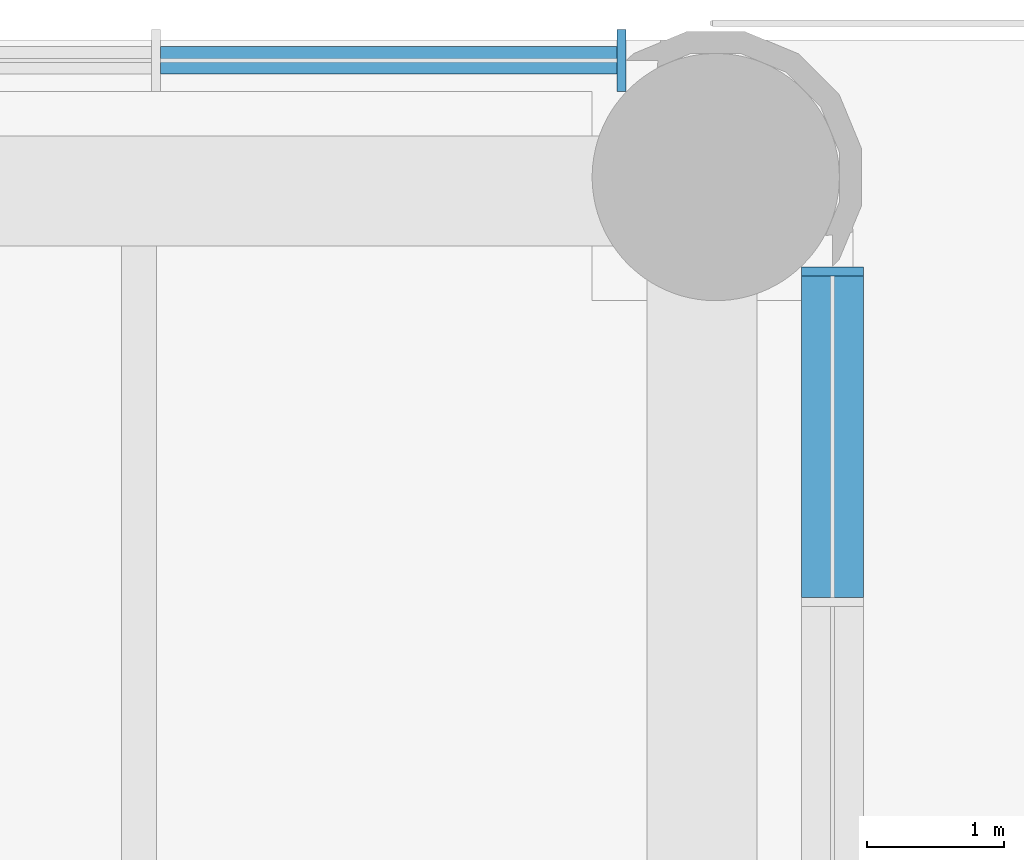
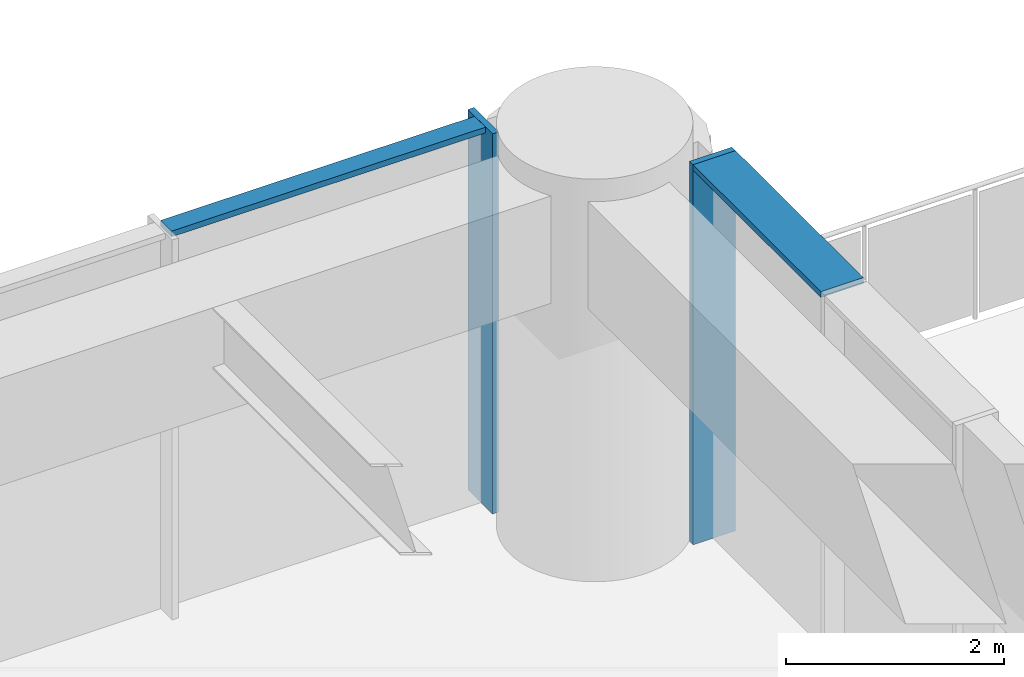
# One storey, part 7 of 21: 4 members, 2 elements without a shape of their own.
"""IFC4 building model written with IfcOpenShell, lengths in metres."""

from ifc_helpers import new_model, si_unit, direction, frame, origin, origin_2d, place, context, subcontext, project, spatial, rectangle, extrude, material, material_profile, profile_set, type_object, element, aggregate, save


model = new_model("IFC4")

# Units and contexts
model_context = context("Model", 3, precision=1e-05, world=origin(), true_north=direction((0.0, 1.0)))
body_context = subcontext(model_context, "Body", "Model", "MODEL_VIEW")
ifc_project = project(units=[si_unit("LENGTHUNIT", "METRE"), si_unit("AREAUNIT", "SQUARE_METRE"), si_unit("VOLUMEUNIT", "CUBIC_METRE"), si_unit("PLANEANGLEUNIT", "RADIAN"), si_unit("MASSUNIT", "GRAM", prefix="KILO")], contexts=[model_context])

# Site, building, storey
site_placement = place(None, origin())
site = spatial("IfcSite", under=ifc_project, at=site_placement, CompositionType="ELEMENT")
building_placement = place(site_placement, origin())
building = spatial("IfcBuilding", under=site, at=building_placement, Name="Torre Alcanfor", CompositionType="ELEMENT")
storey_placement = place(building_placement, frame((0.0, 0.0, 24.0)))
storey = spatial("IfcBuildingStorey", under=building, at=storey_placement, Name="L05", CompositionType="ELEMENT", Elevation=24.0)

# Curtain wall, members
ifc_material_1 = material(Name="Aluminium and glass", Category="aluminium")
curtain_wall_type_1 = type_object("IfcCurtainWallType", Name="CW-B unitised classroom glazing with vertical FIN", PredefinedType="NOTDEFINED", material=ifc_material_1)
curtain_wall_1_placement = place(storey_placement, origin())
curtain_wall_1 = element("IfcCurtainWall", 1, at=curtain_wall_1_placement, inside=storey, type_object=curtain_wall_type_1, Name="Curtain wall CW-B L05 11", PredefinedType="NOTDEFINED")
ifc_material_2 = material(Name="Bronze anodised aluminium", Category="aluminium")
ifc_material_profile_1 = material_profile(ifc_material_2, rectangle(XDim=0.449951171875, YDim=0.06494140625, at=origin_2d()), Name="CW-B mullion 65x450")
ifc_profile_set_1 = profile_set([ifc_material_profile_1], Name="Bronze anodised aluminium")
member_type_1 = type_object("IfcMemberType", Name="CW-B mullion with vertical FIN 65x450", PredefinedType="MULLION", material=ifc_profile_set_1)
member_1_placement = place(storey_placement, frame((41.31298828125, 59.64990234375, 0.0), z_axis=(0.0, 0.0, 1.0), x_axis=(0.0, -1.0, 0.0)))
member_1 = element("IfcMember", 2, at=member_1_placement, type_object=member_type_1, Name="CW-B mullion 1.1", PredefinedType="MULLION", context=body_context, shape_type="SweptSolid", body=[
    extrude(rectangle(XDim=0.449951171875, YDim=0.06494140625, at=origin_2d()), origin(), (0.0, 0.0, 1.0), 4.25),
])
ifc_material_3 = material(Name="Extruded aluminium", Category="aluminium")
ifc_material_profile_2 = material_profile(ifc_material_3, rectangle(XDim=0.199951171875, YDim=0.06494140625, at=origin_2d()), Name="CW-B transom 200x65")
ifc_profile_set_2 = profile_set([ifc_material_profile_2], Name="Extruded aluminium")
member_type_2 = type_object("IfcMemberType", Name="CW-B transom 65x200", PredefinedType="USERDEFINED", material=ifc_profile_set_2)
member_2_placement = place(storey_placement, frame((41.280517578125, 59.64990234375, 4.217529296875), z_axis=(-1.0, 0.0, 0.0), x_axis=(0.0, -1.0, 0.0)))
member_2 = element("IfcMember", 3, at=member_2_placement, type_object=member_type_2, Name="CW-B transom 1.1.2", ObjectType="TRANSOM", PredefinedType="USERDEFINED", context=body_context, shape_type="SweptSolid", body=[
    extrude(rectangle(XDim=0.199951171875, YDim=0.06494140625, at=origin_2d()), origin(), (0.0, 0.0, 1.0), 3.32275390625),
])
aggregate(curtain_wall_1, [member_1, member_2])

ifc_material_4 = material(Name="Aluminium and glass", Category="aluminium")
curtain_wall_type_2 = type_object("IfcCurtainWallType", Name="CW-F south classroom glazing with SUNSHADE transom", PredefinedType="NOTDEFINED", material=ifc_material_4)
curtain_wall_2_placement = place(storey_placement, origin())
curtain_wall_2 = element("IfcCurtainWall", 4, at=curtain_wall_2_placement, inside=storey, type_object=curtain_wall_type_2, Name="Curtain wall CW-F L05 10", PredefinedType="NOTDEFINED")
ifc_material_5 = material(Name="Extruded aluminium", Category="aluminium")
ifc_material_profile_3 = material_profile(ifc_material_5, rectangle(XDim=0.449951171875, YDim=0.06494140625, at=origin_2d()), Name="CW-F transom 450x65")
ifc_profile_set_3 = profile_set([ifc_material_profile_3], Name="Extruded aluminium")
member_type_3 = type_object("IfcMemberType", Name="CW-F SUNSHADE transom 65x450", PredefinedType="USERDEFINED", material=ifc_profile_set_3)
member_3_placement = place(storey_placement, frame((42.85009765625, 55.738525390625, 4.217529296875), z_axis=(0.0, 1.0, 0.0), x_axis=(-1.0, 0.0, 0.0)))
member_3 = element("IfcMember", 5, at=member_3_placement, type_object=member_type_3, Name="CW-F transom 1.2.3", ObjectType="TRANSOM", PredefinedType="USERDEFINED", context=body_context, shape_type="SweptSolid", body=[
    extrude(rectangle(XDim=0.449951171875, YDim=0.06494140625, at=origin_2d()), origin(), (0.0, 0.0, 1.0), 2.342041015625),
])
ifc_material_6 = material(Name="Bronze anodised aluminium", Category="aluminium")
ifc_material_profile_4 = material_profile(ifc_material_6, rectangle(XDim=0.449951171875, YDim=0.06494140625, at=origin_2d()), Name="CW-F mullion 65x450")
ifc_profile_set_4 = profile_set([ifc_material_profile_4], Name="Bronze anodised aluminium")
member_type_4 = type_object("IfcMemberType", Name="CW-F mullion with vertical FIN 65x450", PredefinedType="MULLION", material=ifc_profile_set_4)
member_4_placement = place(storey_placement, frame((42.85009765625, 58.113037109375, 0.0), z_axis=(0.0, 0.0, 1.0), x_axis=(-1.0, 0.0, 0.0)))
member_4 = element("IfcMember", 6, at=member_4_placement, type_object=member_type_4, Name="CW-F mullion 1.3", PredefinedType="MULLION", context=body_context, shape_type="SweptSolid", body=[
    extrude(rectangle(XDim=0.449951171875, YDim=0.06494140625, at=origin_2d()), origin(), (0.0, 0.0, 1.0), 4.25),
])
aggregate(curtain_wall_2, [member_4, member_3])

save(model, "model.ifc")
